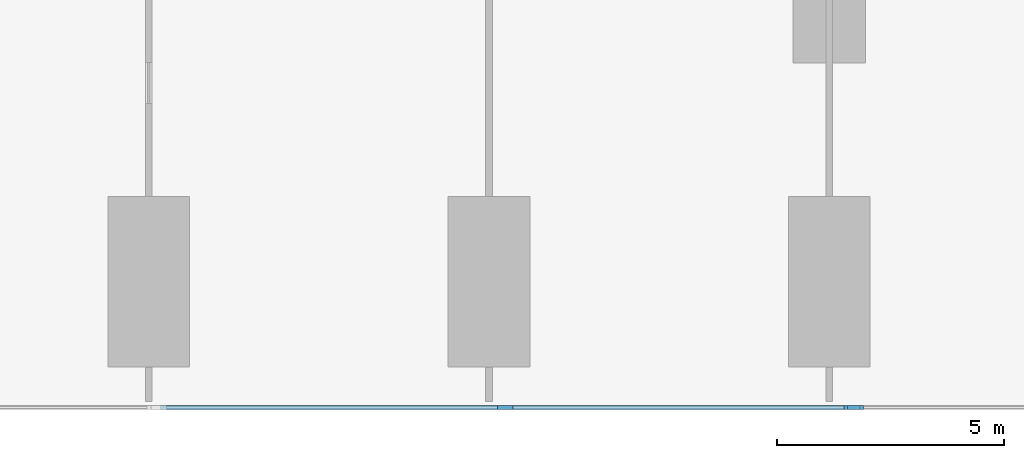
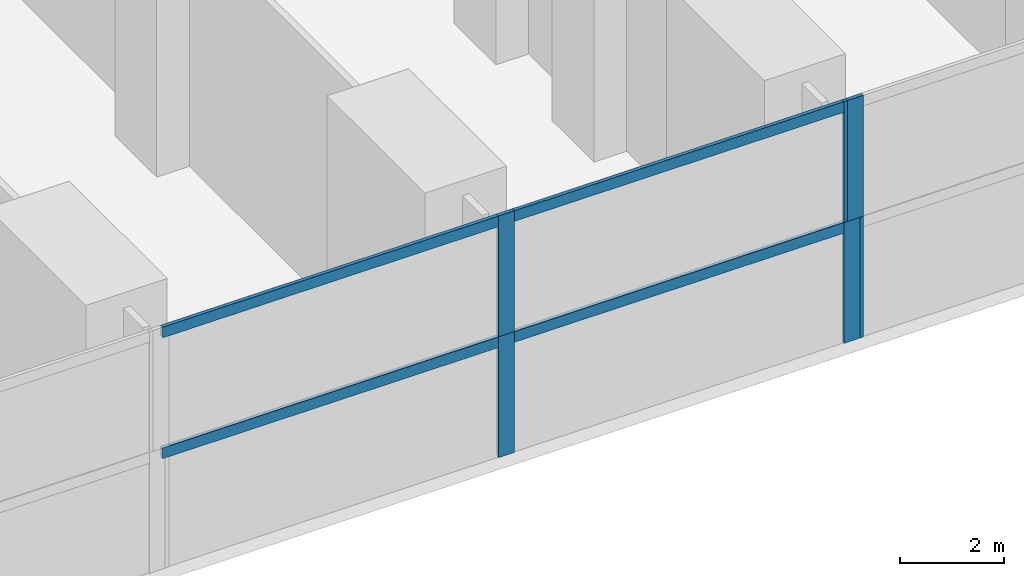
# One storey, part 3 of 14: 10 members, 4 elements without a shape of their own.
"""IFC4 building model written with IfcOpenShell, lengths in metres."""

from ifc_helpers import new_model, si_unit, direction, frame, origin, origin_2d, place, context, subcontext, project, spatial, rectangle, extrude, material, material_profile, profile_set, type_object, element, aggregate, save


model = new_model("IFC4")

# Units and contexts
model_context = context("Model", 3, precision=1e-05, world=origin(), true_north=direction((0.0, 1.0)))
body_context = subcontext(model_context, "Body", "Model", "MODEL_VIEW")
ifc_project = project(units=[si_unit("LENGTHUNIT", "METRE"), si_unit("AREAUNIT", "SQUARE_METRE"), si_unit("VOLUMEUNIT", "CUBIC_METRE"), si_unit("PLANEANGLEUNIT", "RADIAN"), si_unit("MASSUNIT", "GRAM", prefix="KILO")], contexts=[model_context])

# Site, building, storey
site_placement = place(None, origin())
site = spatial("IfcSite", under=ifc_project, at=site_placement, CompositionType="ELEMENT")
building_placement = place(site_placement, origin())
building = spatial("IfcBuilding", under=site, at=building_placement, Name="Pilkhan Gate Tower", CompositionType="ELEMENT")
storey_placement = place(building_placement, frame((0.0, 0.0, 24.0)))
storey = spatial("IfcBuildingStorey", under=building, at=storey_placement, Name="L03", CompositionType="ELEMENT", Elevation=24.0)

# Curtain wall, members
ifc_material_1 = material(Name="Pale anodised aluminium, clear low-iron laminated glazing", Category="aluminium")
curtain_wall_type = type_object("IfcCurtainWallType", Name="Podium unitised curtain wall CW-P", PredefinedType="USERDEFINED", material=ifc_material_1)
curtain_wall_1_placement = place(storey_placement, origin())
curtain_wall_1 = element("IfcCurtainWall", 1, at=curtain_wall_1_placement, inside=storey, type_object=curtain_wall_type, Name="Podium unitised curtain wall CW-P L03 S", ObjectType="UNITISED CURTAIN WALL", PredefinedType="USERDEFINED")
ifc_material_2 = material(Name="Pale anodised aluminium", Category="aluminium")
ifc_material_profile_1 = material_profile(ifc_material_2, rectangle(XDim=0.080078125, YDim=0.35009765625, at=origin_2d()), Name="Mullion 350x80")
ifc_profile_set_1 = profile_set([ifc_material_profile_1], Name="Pale anodised aluminium")
member_type_1 = type_object("IfcMemberType", Name="Mullion CW-P 350x80", PredefinedType="MULLION", material=ifc_profile_set_1)
member_1_placement = place(storey_placement, frame((90.35791015625, 40.35498046875, 0.0), z_axis=(0.0, 0.0, 1.0), x_axis=(0.0, 1.0, 0.0)))
member_1 = element("IfcMember", 2, at=member_1_placement, type_object=member_type_1, Name="CW-P mullion 2", PredefinedType="MULLION", context=body_context, shape_type="SweptSolid", body=[
    extrude(rectangle(XDim=0.080078125, YDim=0.35009765625, at=origin_2d()), origin(), (0.0, 0.0, 1.0), 2.824951171875),
])
member_2_placement = place(storey_placement, frame((97.9970703125, 40.35498046875, 0.0), z_axis=(0.0, 0.0, 1.0), x_axis=(0.0, 1.0, 0.0)))
member_2 = element("IfcMember", 3, at=member_2_placement, type_object=member_type_1, Name="CW-P mullion 3", PredefinedType="MULLION", context=body_context, shape_type="SweptSolid", body=[
    extrude(rectangle(XDim=0.080078125, YDim=0.35009765625, at=origin_2d()), origin(), (0.0, 0.0, 1.0), 2.824951171875),
])

# Curtain wall, member
curtain_wall_2_placement = place(storey_placement, origin())
curtain_wall_2 = element("IfcCurtainWall", 4, at=curtain_wall_2_placement, inside=storey, type_object=curtain_wall_type, Name="Podium unitised curtain wall CW-P L03 S", ObjectType="UNITISED CURTAIN WALL", PredefinedType="USERDEFINED")
member_3_placement = place(storey_placement, frame((98.076904296875, 40.35498046875, 0.0), z_axis=(0.0, 0.0, 1.0), x_axis=(0.0, 1.0, 0.0)))
member_3 = element("IfcMember", 5, at=member_3_placement, type_object=member_type_1, Name="CW-P mullion 1", PredefinedType="MULLION", context=body_context, shape_type="SweptSolid", body=[
    extrude(rectangle(XDim=0.080078125, YDim=0.35009765625, at=origin_2d()), origin(), (0.0, 0.0, 1.0), 2.824951171875),
])
aggregate(curtain_wall_2, [member_3])

# Curtain wall, members
curtain_wall_3_placement = place(storey_placement, origin())
curtain_wall_3 = element("IfcCurtainWall", 6, at=curtain_wall_3_placement, inside=storey, type_object=curtain_wall_type, Name="Podium unitised curtain wall CW-P L03 S", ObjectType="UNITISED CURTAIN WALL", PredefinedType="USERDEFINED")
member_4_placement = place(storey_placement, frame((90.35791015625, 40.35498046875, 2.824951171875), z_axis=(0.0, 0.0, 1.0), x_axis=(0.0, 1.0, 0.0)))
member_4 = element("IfcMember", 7, at=member_4_placement, type_object=member_type_1, Name="CW-P mullion 2", PredefinedType="MULLION", context=body_context, shape_type="SweptSolid", body=[
    extrude(rectangle(XDim=0.080078125, YDim=0.35009765625, at=origin_2d()), origin(), (0.0, 0.0, 1.0), 2.824951171875),
])
member_5_placement = place(storey_placement, frame((97.9970703125, 40.35498046875, 2.824951171875), z_axis=(0.0, 0.0, 1.0), x_axis=(0.0, 1.0, 0.0)))
member_5 = element("IfcMember", 8, at=member_5_placement, type_object=member_type_1, Name="CW-P mullion 3", PredefinedType="MULLION", context=body_context, shape_type="SweptSolid", body=[
    extrude(rectangle(XDim=0.080078125, YDim=0.35009765625, at=origin_2d()), origin(), (0.0, 0.0, 1.0), 2.824951171875),
])

# Curtain wall, member
curtain_wall_4_placement = place(storey_placement, origin())
curtain_wall_4 = element("IfcCurtainWall", 9, at=curtain_wall_4_placement, inside=storey, type_object=curtain_wall_type, Name="Podium unitised curtain wall CW-P L03 S", ObjectType="UNITISED CURTAIN WALL", PredefinedType="USERDEFINED")
member_6_placement = place(storey_placement, frame((98.076904296875, 40.35498046875, 2.824951171875), z_axis=(0.0, 0.0, 1.0), x_axis=(0.0, 1.0, 0.0)))
member_6 = element("IfcMember", 10, at=member_6_placement, type_object=member_type_1, Name="CW-P mullion 1", PredefinedType="MULLION", context=body_context, shape_type="SweptSolid", body=[
    extrude(rectangle(XDim=0.080078125, YDim=0.35009765625, at=origin_2d()), origin(), (0.0, 0.0, 1.0), 2.824951171875),
])
aggregate(curtain_wall_4, [member_6])

# Member
ifc_material_profile_2 = material_profile(ifc_material_2, rectangle(XDim=0.080078125, YDim=0.25, at=origin_2d()), Name="Transom 250x80")
ifc_profile_set_2 = profile_set([ifc_material_profile_2], Name="Pale anodised aluminium")
member_type_2 = type_object("IfcMemberType", Name="Transom CW-P 250x80", PredefinedType="USERDEFINED", material=ifc_profile_set_2)
member_7_placement = place(storey_placement, frame((82.759033203125, 40.35498046875, 2.699951171875), z_axis=(1.0, 0.0, 0.0), x_axis=(0.0, 1.0, 0.0)))
member_7 = element("IfcMember", 11, at=member_7_placement, type_object=member_type_2, Name="CW-P transom 1", ObjectType="TRANSOM", PredefinedType="USERDEFINED", context=body_context, shape_type="SweptSolid", body=[
    extrude(rectangle(XDim=0.080078125, YDim=0.25, at=origin_2d()), origin(), (0.0, 0.0, 1.0), 7.55908203125),
])

member_8_placement = place(storey_placement, frame((90.39794921875, 40.35498046875, 2.699951171875), z_axis=(1.0, 0.0, 0.0), x_axis=(0.0, 1.0, 0.0)))
member_8 = element("IfcMember", 12, at=member_8_placement, type_object=member_type_2, Name="CW-P transom 2", ObjectType="TRANSOM", PredefinedType="USERDEFINED", context=body_context, shape_type="SweptSolid", body=[
    extrude(rectangle(XDim=0.080078125, YDim=0.25, at=origin_2d()), origin(), (0.0, 0.0, 1.0), 7.55908203125),
])

aggregate(curtain_wall_1, [member_1, member_2, member_7, member_8])

member_9_placement = place(storey_placement, frame((82.759033203125, 40.35498046875, 5.52490234375), z_axis=(1.0, 0.0, 0.0), x_axis=(0.0, 1.0, 0.0)))
member_9 = element("IfcMember", 13, at=member_9_placement, type_object=member_type_2, Name="CW-P transom 1", ObjectType="TRANSOM", PredefinedType="USERDEFINED", context=body_context, shape_type="SweptSolid", body=[
    extrude(rectangle(XDim=0.080078125, YDim=0.25, at=origin_2d()), origin(), (0.0, 0.0, 1.0), 7.55908203125),
])

member_10_placement = place(storey_placement, frame((90.39794921875, 40.35498046875, 5.52490234375), z_axis=(1.0, 0.0, 0.0), x_axis=(0.0, 1.0, 0.0)))
member_10 = element("IfcMember", 14, at=member_10_placement, type_object=member_type_2, Name="CW-P transom 2", ObjectType="TRANSOM", PredefinedType="USERDEFINED", context=body_context, shape_type="SweptSolid", body=[
    extrude(rectangle(XDim=0.080078125, YDim=0.25, at=origin_2d()), origin(), (0.0, 0.0, 1.0), 7.55908203125),
])

aggregate(curtain_wall_3, [member_4, member_5, member_9, member_10])

save(model, "model.ifc")
